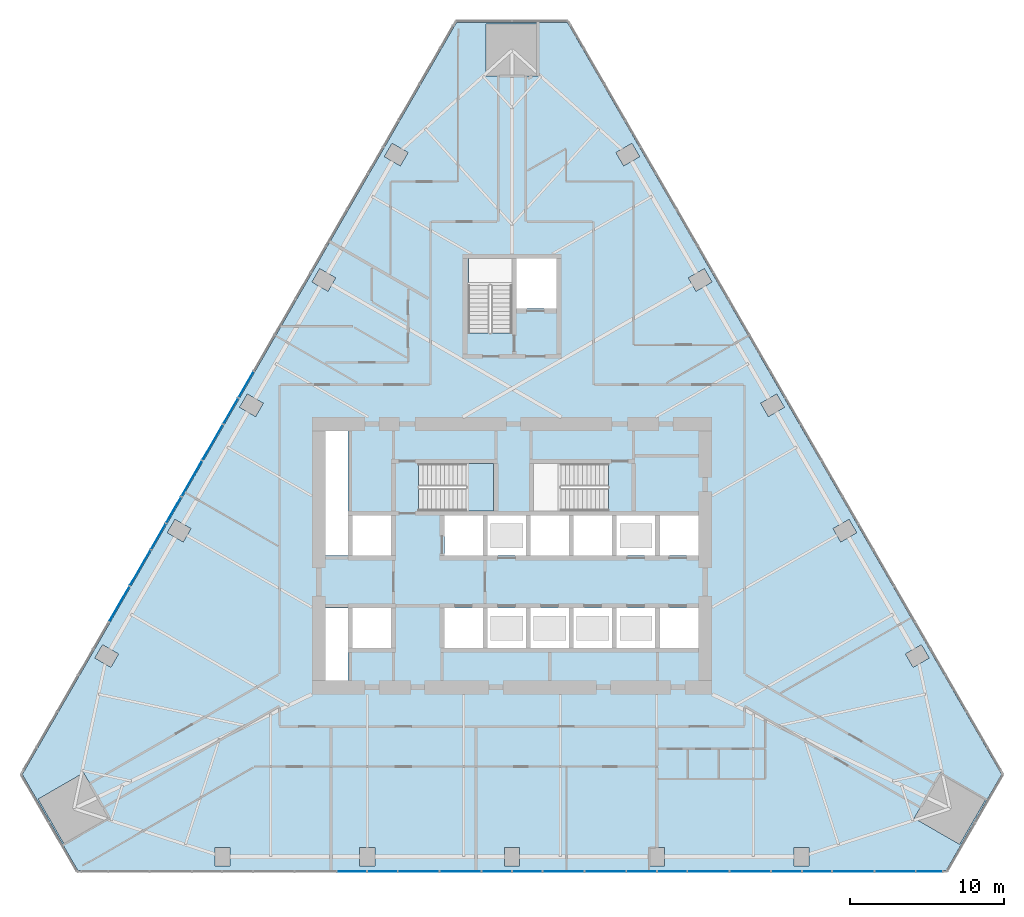
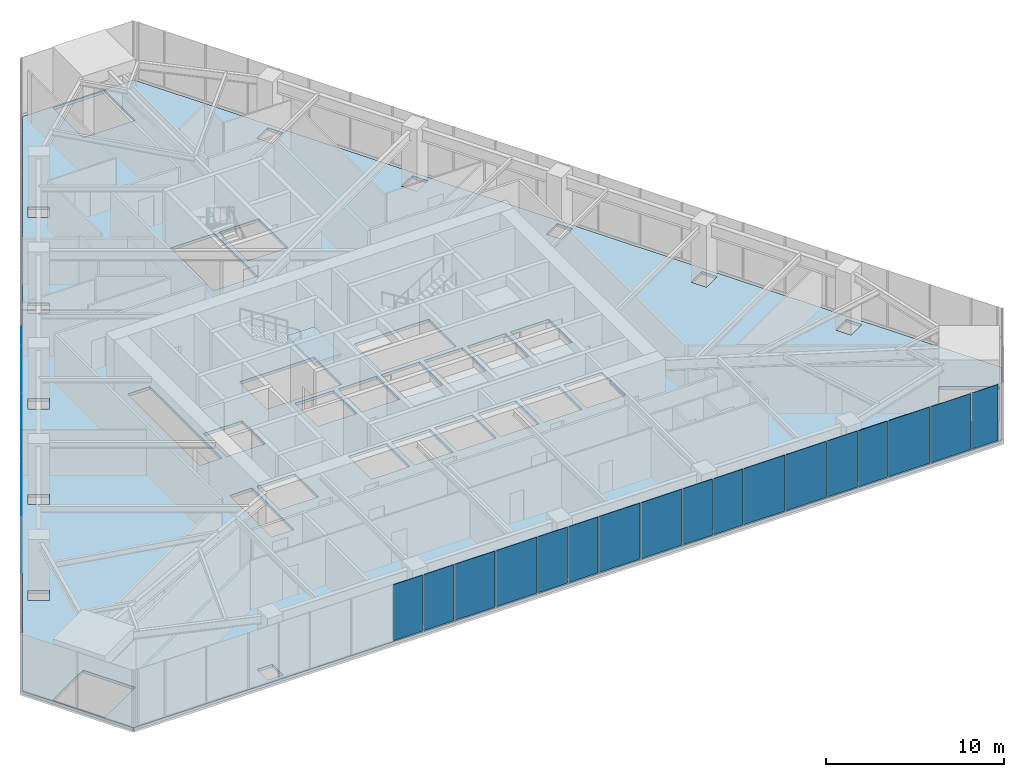
# One storey, part 12 of 21: 25 plates, 2 slabs, 3 elements without a shape of their own.
"""IFC4 building model written with IfcOpenShell, lengths in metres."""

import ifcopenshell
import ifcopenshell.guid

model = None  # the IFC model being written
_history = None  # IfcOwnerHistory: only IFC2X3 demands one
_inside = {}  # id of a spatial element -> (the spatial element, [elements in it])
_under = {}  # id of a project, library or spatial element -> (it, [spatial elements below it])
_declared = {}  # id of a project -> (the project, [libraries it declares])
_typed = {}  # id of a type object -> (the type object, [elements of that type])
_made_of = {}  # id of a material, layer set ... -> (it, [elements and type objects made of it])


def new_model(schema):
    """Start an empty IFC model of exactly this schema.

    Asked for "IFC4X3", IfcOpenShell would pick the latest addendum, in which some entities
    have other attributes; the version numbers below select the first issue.
    IFC2X3 requires an IfcOwnerHistory on every rooted entity: one is made here for all.
    """
    global model, _history
    if schema == "IFC4X3":
        model = ifcopenshell.file(schema_version=(4, 3, 0, 0))
    else:
        model = ifcopenshell.file(schema=schema)
    _inside.clear()
    _under.clear()
    _declared.clear()
    _typed.clear()
    _made_of.clear()
    _history = None
    if model.schema == "IFC2X3":
        org = make("IfcOrganization", Name="unknown")
        user = make(
            "IfcPersonAndOrganization",
            ThePerson=make("IfcPerson", FamilyName="unknown"),
            TheOrganization=org,
        )
        app = make(
            "IfcApplication",
            ApplicationDeveloper=org,
            Version="unknown",
            ApplicationFullName="unknown",
            ApplicationIdentifier="unknown",
        )
        _history = make(
            "IfcOwnerHistory",
            OwningUser=user,
            OwningApplication=app,
            ChangeAction="ADDED",
            CreationDate=0,
        )
    return model


def make(cls, **values):
    """One entity of the class cls with the attributes given. An attribute that is None is left unset."""
    return model.create_entity(
        cls, **{name: value for name, value in values.items() if value is not None}
    )


def rooted(cls, **values):
    """An entity with a GlobalId (a new one), such as an element, a storey or a relation."""
    return make(cls, GlobalId=ifcopenshell.guid.new(), OwnerHistory=_history, **values)


def si_unit(unit_type, name, prefix=None):
    """IfcSIUnit, for example si_unit("LENGTHUNIT", "METRE", prefix="MILLI")."""
    return make("IfcSIUnit", UnitType=unit_type, Prefix=prefix, Name=name)


def assignment(units):
    """IfcUnitAssignment: the units of a project."""
    return None if units is None else make("IfcUnitAssignment", Units=units)


def point(xyz):
    """IfcCartesianPoint."""
    return None if xyz is None else make("IfcCartesianPoint", Coordinates=xyz)


def direction(xyz):
    """IfcDirection."""
    return None if xyz is None else make("IfcDirection", DirectionRatios=xyz)


def frame(location, z_axis=None, x_axis=None):
    """IfcAxis2Placement3D, a coordinate frame: its origin and axes. An axis left out is left unset."""
    return make(
        "IfcAxis2Placement3D",
        Location=point(location),
        Axis=direction(z_axis),
        RefDirection=direction(x_axis),
    )


def origin():
    """The frame at (0, 0, 0) with its axes left unset."""
    return frame((0.0, 0.0, 0.0))


def place(relative_to, where):
    """IfcLocalPlacement: puts the frame where relative to a parent placement (None: the world)."""
    return make(
        "IfcLocalPlacement", PlacementRelTo=relative_to, RelativePlacement=where
    )


def context(
    kind, dimensions, precision=None, world=None, true_north=None, identifier=None
):
    """IfcGeometricRepresentationContext, for example the 3D "Model" context."""
    return make(
        "IfcGeometricRepresentationContext",
        ContextIdentifier=identifier,
        ContextType=kind,
        CoordinateSpaceDimension=dimensions,
        Precision=precision,
        WorldCoordinateSystem=world,
        TrueNorth=true_north,
    )


def subcontext(parent, identifier, kind, view, scale=None):
    """IfcGeometricRepresentationSubContext, for example "Body" below "Model"."""
    return make(
        "IfcGeometricRepresentationSubContext",
        ContextIdentifier=identifier,
        ContextType=kind,
        ParentContext=parent,
        TargetScale=scale,
        TargetView=view,
    )


def project(units=None, contexts=None):
    """IfcProject with its units and contexts."""
    return rooted(
        "IfcProject",
        Name="project",
        RepresentationContexts=contexts,
        UnitsInContext=assignment(units),
    )


def spatial(cls, under=None, at=None, **own):
    """A site, building, storey or space (cls), placed at a placement, below another one or the project."""
    s = rooted(cls, ObjectPlacement=at, **own)
    if under is not None:
        _under.setdefault(under.id(), (under, []))[1].append(s)
    return s


def polyline(points):
    """IfcPolyline through the points."""
    return make("IfcPolyline", Points=[point(p) for p in points])


def outline(outer, holes=None, kind="AREA"):
    """IfcArbitraryClosedProfileDef: a profile drawn as a closed curve; with holes, ...WithVoids."""
    if holes is None:
        return make("IfcArbitraryClosedProfileDef", ProfileType=kind, OuterCurve=outer)
    return make(
        "IfcArbitraryProfileDefWithVoids",
        ProfileType=kind,
        OuterCurve=outer,
        InnerCurves=holes,
    )


def extrude(swept, where, along, depth):
    """IfcExtrudedAreaSolid: the profile swept, set in the frame where, extruded along a direction by depth."""
    return make(
        "IfcExtrudedAreaSolid",
        SweptArea=swept,
        Position=where,
        ExtrudedDirection=direction(along),
        Depth=depth,
    )


def shape(context_of_items, identifier, shape_type, items):
    """IfcShapeRepresentation: the items that make up one representation, for example the "Body"."""
    return make(
        "IfcShapeRepresentation",
        ContextOfItems=context_of_items,
        RepresentationIdentifier=identifier,
        RepresentationType=shape_type,
        Items=items,
    )


def material(Name=None, Category=None):
    """IfcMaterial."""
    return make("IfcMaterial", Name=Name, Category=Category)


def layer(
    of_material, thickness, ventilated=None, Name=None, Category=None, Priority=None
):
    """IfcMaterialLayer: one layer of a wall or slab, of a material (None: an air gap)."""
    return make(
        "IfcMaterialLayer",
        Material=of_material,
        LayerThickness=thickness,
        IsVentilated=ventilated,
        Name=Name,
        Category=Category,
        Priority=Priority,
    )


def layer_set(layers, Name=None):
    """IfcMaterialLayerSet."""
    return make("IfcMaterialLayerSet", MaterialLayers=layers, LayerSetName=Name)


def made_of(thing, what):
    """Note that an element or type object is made of a material, layer set ...; save() writes the relation."""
    if what is not None:
        _made_of.setdefault(what.id(), (what, []))[1].append(thing)
    return thing


def type_object(cls, material=None, **own):
    """A type object (cls), such as IfcWallType, which elements share."""
    return made_of(rooted(cls, **own), material)


def element(
    cls,
    number,
    at=None,
    inside=None,
    cuts=None,
    type_object=None,
    material=None,
    context=None,
    identifier="Body",
    shape_type=None,
    held_by="IfcProductDefinitionShape",
    body=None,
    shapes=None,
    **own,
):
    """One element of the class cls, such as IfcWall. Its Tag is "e" and its number.

    at: its placement. inside: the storey or other place that contains it. cuts: it is an
    opening in that element (IfcRelVoidsElement). A single representation is given by context,
    identifier, shape_type and body (its items); several are given by shapes. held_by: the class
    of the entity that holds the representations. save() writes the other relations.
    """
    e = rooted(cls, Tag="e%d" % number, ObjectPlacement=at, **own)
    if body is not None:
        shapes = [shape(context, identifier, shape_type, body)]
    if shapes is not None:
        e.Representation = make(held_by, Representations=shapes)
    if inside is not None:
        _inside.setdefault(inside.id(), (inside, []))[1].append(e)
    if cuts is not None:
        rooted(
            "IfcRelVoidsElement", RelatingBuildingElement=cuts, RelatedOpeningElement=e
        )
    if type_object is not None:
        _typed.setdefault(type_object.id(), (type_object, []))[1].append(e)
    return made_of(e, material)


def aggregate(whole, parts):
    """IfcRelAggregates: a whole, such as a stair, and the parts it consists of."""
    return rooted("IfcRelAggregates", RelatingObject=whole, RelatedObjects=parts)


def save(model, path):
    """Write the relations noted so far, then the file.

    IfcRelAggregates (storeys below a building ...), IfcRelContainedInSpatialStructure (elements
    in a storey), IfcRelDefinesByType, IfcRelAssociatesMaterial and IfcRelDeclares: one each for
    every whole, place, type object, material and project.
    """
    for whole, parts in _under.values():
        aggregate(whole, parts)
    for where, things in _inside.values():
        rooted(
            "IfcRelContainedInSpatialStructure",
            RelatedElements=things,
            RelatingStructure=where,
        )
    for kind, things in _typed.values():
        rooted("IfcRelDefinesByType", RelatedObjects=things, RelatingType=kind)
    for what, things in _made_of.values():
        rooted("IfcRelAssociatesMaterial", RelatedObjects=things, RelatingMaterial=what)
    for by, libraries in _declared.values():
        rooted("IfcRelDeclares", RelatingContext=by, RelatedDefinitions=libraries)
    model.write(path)


model = new_model("IFC4")

# Units and contexts
model_context = context("Model", 3, precision=1e-05, world=origin(), true_north=direction((0.0, 1.0)))
body_context = subcontext(model_context, "Body", "Model", "MODEL_VIEW")
ifc_project = project(units=[si_unit("LENGTHUNIT", "METRE"), si_unit("AREAUNIT", "SQUARE_METRE"), si_unit("VOLUMEUNIT", "CUBIC_METRE"), si_unit("PLANEANGLEUNIT", "RADIAN"), si_unit("MASSUNIT", "GRAM", prefix="KILO")], contexts=[model_context])

# Site, building, storey
site_placement = place(None, origin())
site = spatial("IfcSite", under=ifc_project, at=site_placement, CompositionType="ELEMENT")
building_placement = place(site_placement, origin())
building = spatial("IfcBuilding", under=site, at=building_placement, Name="Firuza Gate Tower and Library", CompositionType="ELEMENT")
storey_placement = place(building_placement, frame((0.0, 0.0, 94.60009765625)))
storey = spatial("IfcBuildingStorey", under=building, at=storey_placement, Name="L21", CompositionType="ELEMENT", Elevation=94.60009765625)

# Slab
ifc_material_1 = material(Name="Concrete C40/50", Category="concrete")
ifc_layer_1 = layer(ifc_material_1, 0.199951171875)
ifc_layer_set_1 = layer_set([ifc_layer_1], Name="Composite floor slab 200 C40/50")
slab_type_1 = type_object("IfcSlabType", Name="Composite floor slab 200 C40/50", PredefinedType="FLOOR", material=ifc_layer_set_1)
slab_1_placement = place(storey_placement, frame((0.0, 0.0, -0.2001953125)))
element("IfcSlab", 1, at=slab_1_placement, inside=storey, type_object=slab_type_1, Name="Floor slab L21", PredefinedType="FLOOR", context=body_context, shape_type="SweptSolid", body=[
    extrude(outline(polyline([(43.18994140625, 60.791259765625), (46.789794921875, 54.555908203125), (103.210205078125, 54.555908203125), (106.81005859375, 60.791259765625), (78.60009765625, 109.652587890625), (71.39990234375, 109.652587890625), (43.18994140625, 60.791259765625)]), holes=[polyline([(55.693359375, 54.85595703125), (55.693359375, 56.055908203125), (56.693359375, 56.055908203125), (56.693359375, 54.85595703125), (55.693359375, 54.85595703125)]), polyline([(65.0966796875, 54.85595703125), (65.0966796875, 56.055908203125), (66.0966796875, 56.055908203125), (66.0966796875, 54.85595703125), (65.0966796875, 54.85595703125)]), polyline([(44.2265625, 59.19580078125), (47.1708984375, 60.89599609375), (48.87109375, 57.951416015625), (45.926513671875, 56.25146484375), (44.2265625, 59.19580078125)]), polyline([(48.4013671875, 69.218017578125), (49.440673828125, 68.617919921875), (48.940673828125, 67.751953125), (47.9013671875, 68.351806640625), (48.4013671875, 69.218017578125)]), polyline([(64.35009765625, 66.89990234375), (62.89990234375, 66.89990234375), (62.89990234375, 71.60009765625), (64.35009765625, 71.60009765625), (64.35009765625, 66.89990234375)]), polyline([(75.89990234375, 69.0), (73.39990234375, 69.0), (73.39990234375, 71.60009765625), (75.89990234375, 71.60009765625), (75.89990234375, 69.0)]), polyline([(73.10009765625, 69.0), (70.60009765625, 69.0), (70.60009765625, 71.60009765625), (73.10009765625, 71.60009765625), (73.10009765625, 69.0)]), polyline([(64.64990234375, 69.0), (64.64990234375, 71.60009765625), (67.14990234375, 71.60009765625), (67.14990234375, 69.0), (64.64990234375, 69.0)]), polyline([(64.64990234375, 75.0), (64.64990234375, 77.60009765625), (67.14990234375, 77.60009765625), (67.14990234375, 75.0), (64.64990234375, 75.0)]), polyline([(75.89990234375, 75.0), (73.39990234375, 75.0), (73.39990234375, 77.60009765625), (75.89990234375, 77.60009765625), (75.89990234375, 75.0)]), polyline([(73.10009765625, 75.0), (70.60009765625, 75.0), (70.60009765625, 77.60009765625), (73.10009765625, 77.60009765625), (73.10009765625, 75.0)]), polyline([(53.10302734375, 77.361572265625), (54.142333984375, 76.761474609375), (53.642333984375, 75.8955078125), (52.60302734375, 76.495361328125), (53.10302734375, 77.361572265625)]), polyline([(62.89990234375, 75.0), (62.89990234375, 83.10009765625), (64.35009765625, 83.10009765625), (64.35009765625, 75.0), (62.89990234375, 75.0)]), polyline([(68.9404296875, 77.89990234375), (68.9404296875, 80.97998046875), (73.81005859375, 80.97998046875), (73.81005859375, 77.89990234375), (68.9404296875, 77.89990234375)]), polyline([(57.8046875, 85.505126953125), (58.843994140625, 84.905029296875), (58.343994140625, 84.0390625), (57.3046875, 84.638916015625), (57.8046875, 85.505126953125)]), polyline([(72.159912109375, 89.470458984375), (72.159912109375, 94.300048828125), (75.0, 94.300048828125), (75.0, 89.470458984375), (72.159912109375, 89.470458984375)]), polyline([(62.50634765625, 93.648681640625), (63.545654296875, 93.048583984375), (63.045654296875, 92.1826171875), (62.00634765625, 92.782470703125), (62.50634765625, 93.648681640625)]), polyline([(68.247314453125, 101.192138671875), (67.747314453125, 100.326171875), (66.7080078125, 100.926025390625), (67.2080078125, 101.792236328125), (68.247314453125, 101.192138671875)]), polyline([(76.699951171875, 106.152587890625), (73.300048828125, 106.152587890625), (73.300048828125, 109.552734375), (76.699951171875, 109.552734375), (76.699951171875, 106.152587890625)]), polyline([(93.306640625, 54.85595703125), (93.306640625, 56.055908203125), (94.306640625, 56.055908203125), (94.306640625, 54.85595703125), (93.306640625, 54.85595703125)]), polyline([(74.5, 54.85595703125), (74.5, 56.055908203125), (75.5, 56.055908203125), (75.5, 54.85595703125), (74.5, 54.85595703125)]), polyline([(83.9033203125, 54.85595703125), (83.9033203125, 56.055908203125), (84.9033203125, 56.055908203125), (84.9033203125, 54.85595703125), (83.9033203125, 54.85595703125)]), polyline([(104.073486328125, 56.25146484375), (101.12890625, 57.951416015625), (102.8291015625, 60.89599609375), (105.7734375, 59.19580078125), (104.073486328125, 56.25146484375)]), polyline([(102.0986328125, 68.351806640625), (101.059326171875, 67.751953125), (100.559326171875, 68.617919921875), (101.5986328125, 69.218017578125), (102.0986328125, 68.351806640625)]), polyline([(78.699951171875, 69.0), (76.199951171875, 69.0), (76.199951171875, 71.60009765625), (78.699951171875, 71.60009765625), (78.699951171875, 69.0)]), polyline([(81.5, 69.0), (79.0, 69.0), (79.0, 71.60009765625), (81.5, 71.60009765625), (81.5, 69.0)]), polyline([(84.60009765625, 69.0), (84.60009765625, 71.60009765625), (87.10009765625, 71.60009765625), (87.10009765625, 69.0), (84.60009765625, 69.0)]), polyline([(81.800048828125, 69.0), (81.800048828125, 71.60009765625), (84.300048828125, 71.60009765625), (84.300048828125, 69.0), (81.800048828125, 69.0)]), polyline([(84.300048828125, 75.0), (81.800048828125, 75.0), (81.800048828125, 77.60009765625), (84.300048828125, 77.60009765625), (84.300048828125, 75.0)]), polyline([(87.10009765625, 75.0), (84.60009765625, 75.0), (84.60009765625, 77.60009765625), (87.10009765625, 77.60009765625), (87.10009765625, 75.0)]), polyline([(81.5, 75.0), (79.0, 75.0), (79.0, 77.60009765625), (81.5, 77.60009765625), (81.5, 75.0)]), polyline([(76.199951171875, 75.0), (76.199951171875, 77.60009765625), (78.699951171875, 77.60009765625), (78.699951171875, 75.0), (76.199951171875, 75.0)]), polyline([(96.357666015625, 75.8955078125), (95.857666015625, 76.761474609375), (96.89697265625, 77.361572265625), (97.39697265625, 76.495361328125), (96.357666015625, 75.8955078125)]), polyline([(81.259521484375, 77.89990234375), (76.389892578125, 77.89990234375), (76.389892578125, 80.97998046875), (81.259521484375, 80.97998046875), (81.259521484375, 77.89990234375)]), polyline([(92.6953125, 84.638916015625), (91.656005859375, 84.0390625), (91.156005859375, 84.905029296875), (92.1953125, 85.505126953125), (92.6953125, 84.638916015625)]), polyline([(77.89990234375, 91.050048828125), (75.300048828125, 91.050048828125), (75.300048828125, 94.300048828125), (77.89990234375, 94.300048828125), (77.89990234375, 91.050048828125)]), polyline([(86.954345703125, 92.1826171875), (86.454345703125, 93.048583984375), (87.49365234375, 93.648681640625), (87.99365234375, 92.782470703125), (86.954345703125, 92.1826171875)]), polyline([(82.252685546875, 100.326171875), (81.752685546875, 101.192138671875), (82.7919921875, 101.792236328125), (83.2919921875, 100.926025390625), (82.252685546875, 100.326171875)])]), origin(), (0.0, 0.0, 1.0), 0.2001953125),
])

# Curtain wall, plates
ifc_material_2 = material(Name="Aluminium 6063-T6", Category="aluminium")
ifc_layer_2 = layer(ifc_material_2, 0.14990234375)
ifc_layer_set_2 = layer_set([ifc_layer_2], Name="Unitised curtain wall, offices")
curtain_wall_type = type_object("IfcCurtainWallType", Name="Unitised curtain wall, offices", PredefinedType="NOTDEFINED", material=ifc_layer_set_2)
placement = place(storey_placement, origin())
curtain_wall_1 = element("IfcCurtainWall", 2, at=placement, inside=storey, type_object=curtain_wall_type, Name="CW1 L21 S face", PredefinedType="NOTDEFINED")
ifc_material_3 = material(Name="Fritted glass", Category="glass")
ifc_layer_3 = layer(ifc_material_3, 0.030029296875)
ifc_layer_set_3 = layer_set([ifc_layer_3], Name="Fritted glass unit, offices")
plate_type_1 = type_object("IfcPlateType", Name="Fritted glass unit, offices", PredefinedType="CURTAIN_PANEL", material=ifc_layer_set_3)
plate_1_placement = place(storey_placement, frame((63.64794921875, 54.466064453125, 0.14990234375), z_axis=(0.0, -1.0, 0.0), x_axis=(1.0, 0.0, 0.0)))
plate_1 = element("IfcPlate", 3, at=plate_1_placement, type_object=plate_type_1, Name="Glass unit", PredefinedType="CURTAIN_PANEL", context=body_context, shape_type="SweptSolid", body=[
    extrude(outline(polyline([(0.0, 0.0), (1.894287109375, 0.0), (1.894287109375, 3.85009765625), (0.0, 3.85009765625), (0.0, 0.0)])), origin(), (0.0, 0.0, -1.0), 0.030029296875),
])
plate_2_placement = place(storey_placement, frame((65.622314453125, 54.466064453125, 0.14990234375), z_axis=(0.0, -1.0, 0.0), x_axis=(1.0, 0.0, 0.0)))
plate_2 = element("IfcPlate", 4, at=plate_2_placement, type_object=plate_type_1, Name="Glass unit", PredefinedType="CURTAIN_PANEL", context=body_context, shape_type="SweptSolid", body=[
    extrude(outline(polyline([(0.0, 0.0), (1.923095703125, 0.0), (1.923095703125, 3.85009765625), (0.0, 3.85009765625), (0.0, 0.0)])), origin(), (0.0, 0.0, -1.0), 0.030029296875),
])
plate_3_placement = place(storey_placement, frame((73.05126953125, 54.466064453125, 0.14990234375), z_axis=(0.0, -1.0, 0.0), x_axis=(1.0, 0.0, 0.0)))
plate_3 = element("IfcPlate", 5, at=plate_3_placement, type_object=plate_type_1, Name="Glass unit", PredefinedType="CURTAIN_PANEL", context=body_context, shape_type="SweptSolid", body=[
    extrude(outline(polyline([(0.0, 0.0), (1.90869140625, 0.0), (1.90869140625, 3.85009765625), (0.0, 3.85009765625), (0.0, 0.0)])), origin(), (0.0, 0.0, -1.0), 0.030029296875),
])
plate_4_placement = place(storey_placement, frame((75.0400390625, 54.466064453125, 0.14990234375), z_axis=(0.0, -1.0, 0.0), x_axis=(1.0, 0.0, 0.0)))
plate_4 = element("IfcPlate", 6, at=plate_4_placement, type_object=plate_type_1, Name="Glass unit", PredefinedType="CURTAIN_PANEL", context=body_context, shape_type="SweptSolid", body=[
    extrude(outline(polyline([(0.0, 0.0), (1.90869140625, 0.0), (1.90869140625, 3.85009765625), (0.0, 3.85009765625), (0.0, 0.0)])), origin(), (0.0, 0.0, -1.0), 0.030029296875),
])
plate_5_placement = place(storey_placement, frame((82.45458984375, 54.466064453125, 0.14990234375), z_axis=(0.0, -1.0, 0.0), x_axis=(1.0, 0.0, 0.0)))
plate_5 = element("IfcPlate", 7, at=plate_5_placement, type_object=plate_type_1, Name="Glass unit", PredefinedType="CURTAIN_PANEL", context=body_context, shape_type="SweptSolid", body=[
    extrude(outline(polyline([(0.0, 0.0), (1.923095703125, 0.0), (1.923095703125, 3.85009765625), (0.0, 3.85009765625), (0.0, 0.0)])), origin(), (0.0, 0.0, -1.0), 0.030029296875),
])
plate_6_placement = place(storey_placement, frame((84.457763671875, 54.466064453125, 0.14990234375), z_axis=(0.0, -1.0, 0.0), x_axis=(1.0, 0.0, 0.0)))
plate_6 = element("IfcPlate", 8, at=plate_6_placement, type_object=plate_type_1, Name="Glass unit", PredefinedType="CURTAIN_PANEL", context=body_context, shape_type="SweptSolid", body=[
    extrude(outline(polyline([(0.0, 0.0), (1.894287109375, 0.0), (1.894287109375, 3.85009765625), (0.0, 3.85009765625), (0.0, 0.0)])), origin(), (0.0, 0.0, -1.0), 0.030029296875),
])
plate_7_placement = place(storey_placement, frame((91.858154296875, 54.466064453125, 0.14990234375), z_axis=(0.0, -1.0, 0.0), x_axis=(1.0, 0.0, 0.0)))
plate_7 = element("IfcPlate", 9, at=plate_7_placement, type_object=plate_type_1, Name="Glass unit", PredefinedType="CURTAIN_PANEL", context=body_context, shape_type="SweptSolid", body=[
    extrude(outline(polyline([(0.0, 0.0), (1.9375, 0.0), (1.9375, 3.85009765625), (0.0, 3.85009765625), (0.0, 0.0)])), origin(), (0.0, 0.0, -1.0), 0.030029296875),
])
plate_8_placement = place(storey_placement, frame((93.87548828125, 54.466064453125, 0.14990234375), z_axis=(0.0, -1.0, 0.0), x_axis=(1.0, 0.0, 0.0)))
plate_8 = element("IfcPlate", 10, at=plate_8_placement, type_object=plate_type_1, Name="Glass unit", PredefinedType="CURTAIN_PANEL", context=body_context, shape_type="SweptSolid", body=[
    extrude(outline(polyline([(0.0, 0.0), (1.8798828125, 0.0), (1.8798828125, 3.85009765625), (0.0, 3.85009765625), (0.0, 0.0)])), origin(), (0.0, 0.0, -1.0), 0.030029296875),
])
plate_9_placement = place(storey_placement, frame((101.261474609375, 54.466064453125, 0.14990234375), z_axis=(0.0, -1.0, 0.0), x_axis=(1.0, 0.0, 0.0)))
plate_9 = element("IfcPlate", 11, at=plate_9_placement, type_object=plate_type_1, Name="Glass unit", PredefinedType="CURTAIN_PANEL", context=body_context, shape_type="SweptSolid", body=[
    extrude(outline(polyline([(0.0, 0.0), (1.685791015625, 0.0), (1.685791015625, 3.85009765625), (0.0, 3.85009765625), (0.0, 0.0)])), origin(), (0.0, 0.0, -1.0), 0.030029296875),
])

curtain_wall_2 = element("IfcCurtainWall", 12, at=placement, inside=storey, type_object=curtain_wall_type, Name="CW1 L21 W face", PredefinedType="NOTDEFINED")
plate_10_placement = place(storey_placement, frame((58.19140625, 86.95458984375, 0.14990234375), z_axis=(-0.866006643745, 0.500032491935, 0.0), x_axis=(-0.500032491935, -0.866006643745, 0.0)))
plate_10 = element("IfcPlate", 13, at=plate_10_placement, type_object=plate_type_1, Name="Glass unit", PredefinedType="CURTAIN_PANEL", context=body_context, shape_type="SweptSolid", body=[
    extrude(outline(polyline([(0.0, 0.0), (1.908567380156947, 0.0), (1.908567380156947, 3.85009765625), (0.0, 3.85009765625), (0.0, 0.0)])), origin(), (0.0, 0.0, -1.0), 0.030029296875),
])
plate_11_placement = place(storey_placement, frame((57.197021484375, 85.232421875, 0.14990234375), z_axis=(-0.866038622153, 0.499977104415, 0.0), x_axis=(-0.499977104415, -0.866038622153, 0.0)))
plate_11 = element("IfcPlate", 14, at=plate_11_placement, type_object=plate_type_1, Name="Glass unit", PredefinedType="CURTAIN_PANEL", context=body_context, shape_type="SweptSolid", body=[
    extrude(outline(polyline([(0.0, 0.0), (1.9087788114640352, 0.0), (1.9087788114640352, 3.85009765625), (0.0, 3.85009765625), (0.0, 0.0)])), origin(), (0.0, 0.0, -1.0), 0.030029296875),
])
plate_12_placement = place(storey_placement, frame((53.48974609375, 78.81103515625, 0.14990234375), z_axis=(-0.866008007854, 0.500030129425, 0.0), x_axis=(-0.500030129425, -0.866008007854, 0.0)))
plate_12 = element("IfcPlate", 15, at=plate_12_placement, type_object=plate_type_1, Name="Glass unit", PredefinedType="CURTAIN_PANEL", context=body_context, shape_type="SweptSolid", body=[
    extrude(outline(polyline([(0.0, 0.0), (1.923223952486553, 0.0), (1.923223952486553, 3.85009765625), (0.0, 3.85009765625), (0.0, 0.0)])), origin(), (0.0, 0.0, -1.0), 0.030029296875),
])
plate_13_placement = place(storey_placement, frame((52.488037109375, 77.076416015625, 0.14990234375), z_axis=(-0.866069700026, 0.49992326881, 0.0), x_axis=(-0.49992326881, -0.866069700026, 0.0)))
plate_13 = element("IfcPlate", 16, at=plate_13_placement, type_object=plate_type_1, Name="Glass unit", PredefinedType="CURTAIN_PANEL", context=body_context, shape_type="SweptSolid", body=[
    extrude(outline(polyline([(0.0, 0.0), (1.894333677706446, 0.0), (1.894333677706446, 3.85009765625), (0.0, 3.85009765625), (0.0, 0.0)])), origin(), (0.0, 0.0, -1.0), 0.030029296875),
])

# Plate
ifc_material_4 = material(Name="Glazed ceramic tile")
ifc_layer_4 = layer(ifc_material_4, 0.030029296875)
ifc_layer_set_4 = layer_set([ifc_layer_4], Name="Opaque ceramic panel, offices")
plate_type_2 = type_object("IfcPlateType", Name="Opaque ceramic panel, offices", PredefinedType="CURTAIN_PANEL", material=ifc_layer_set_4)
plate_14_placement = place(storey_placement, frame((67.625244140625, 54.466064453125, 0.14990234375), z_axis=(0.0, -1.0, 0.0), x_axis=(1.0, 0.0, 0.0)))
plate_14 = element("IfcPlate", 17, at=plate_14_placement, type_object=plate_type_2, Name="Opaque ceramic panel", PredefinedType="CURTAIN_PANEL", context=body_context, shape_type="SweptSolid", body=[
    extrude(outline(polyline([(0.0, 0.0), (2.625732421875, 0.0), (2.625732421875, 3.85009765625), (0.0, 3.85009765625), (0.0, 0.0)])), origin(), (0.0, 0.0, -1.0), 0.030029296875),
])

plate_15_placement = place(storey_placement, frame((70.3310546875, 54.466064453125, 0.14990234375), z_axis=(0.0, -1.0, 0.0), x_axis=(1.0, 0.0, 0.0)))
plate_15 = element("IfcPlate", 18, at=plate_15_placement, type_object=plate_type_2, Name="Opaque ceramic panel", PredefinedType="CURTAIN_PANEL", context=body_context, shape_type="SweptSolid", body=[
    extrude(outline(polyline([(0.0, 0.0), (2.64013671875, 0.0), (2.64013671875, 3.85009765625), (0.0, 3.85009765625), (0.0, 0.0)])), origin(), (0.0, 0.0, -1.0), 0.030029296875),
])

plate_16_placement = place(storey_placement, frame((77.02880859375, 54.466064453125, 0.14990234375), z_axis=(0.0, -1.0, 0.0), x_axis=(1.0, 0.0, 0.0)))
plate_16 = element("IfcPlate", 19, at=plate_16_placement, type_object=plate_type_2, Name="Opaque ceramic panel", PredefinedType="CURTAIN_PANEL", context=body_context, shape_type="SweptSolid", body=[
    extrude(outline(polyline([(0.0, 0.0), (2.64013671875, 0.0), (2.64013671875, 3.85009765625), (0.0, 3.85009765625), (0.0, 0.0)])), origin(), (0.0, 0.0, -1.0), 0.030029296875),
])

plate_17_placement = place(storey_placement, frame((79.7490234375, 54.466064453125, 0.14990234375), z_axis=(0.0, -1.0, 0.0), x_axis=(1.0, 0.0, 0.0)))
plate_17 = element("IfcPlate", 20, at=plate_17_placement, type_object=plate_type_2, Name="Opaque ceramic panel", PredefinedType="CURTAIN_PANEL", context=body_context, shape_type="SweptSolid", body=[
    extrude(outline(polyline([(0.0, 0.0), (2.625732421875, 0.0), (2.625732421875, 3.85009765625), (0.0, 3.85009765625), (0.0, 0.0)])), origin(), (0.0, 0.0, -1.0), 0.030029296875),
])

plate_18_placement = place(storey_placement, frame((86.43212890625, 54.466064453125, 0.14990234375), z_axis=(0.0, -1.0, 0.0), x_axis=(1.0, 0.0, 0.0)))
plate_18 = element("IfcPlate", 21, at=plate_18_placement, type_object=plate_type_2, Name="Opaque ceramic panel", PredefinedType="CURTAIN_PANEL", context=body_context, shape_type="SweptSolid", body=[
    extrude(outline(polyline([(0.0, 0.0), (2.654541015625, 0.0), (2.654541015625, 3.85009765625), (0.0, 3.85009765625), (0.0, 0.0)])), origin(), (0.0, 0.0, -1.0), 0.030029296875),
])

plate_19_placement = place(storey_placement, frame((89.166748046875, 54.466064453125, 0.14990234375), z_axis=(0.0, -1.0, 0.0), x_axis=(1.0, 0.0, 0.0)))
plate_19 = element("IfcPlate", 22, at=plate_19_placement, type_object=plate_type_2, Name="Opaque ceramic panel", PredefinedType="CURTAIN_PANEL", context=body_context, shape_type="SweptSolid", body=[
    extrude(outline(polyline([(0.0, 0.0), (2.611328125, 0.0), (2.611328125, 3.85009765625), (0.0, 3.85009765625), (0.0, 0.0)])), origin(), (0.0, 0.0, -1.0), 0.030029296875),
])

plate_20_placement = place(storey_placement, frame((95.83544921875, 54.466064453125, 0.14990234375), z_axis=(0.0, -1.0, 0.0), x_axis=(1.0, 0.0, 0.0)))
plate_20 = element("IfcPlate", 23, at=plate_20_placement, type_object=plate_type_2, Name="Opaque ceramic panel", PredefinedType="CURTAIN_PANEL", context=body_context, shape_type="SweptSolid", body=[
    extrude(outline(polyline([(0.0, 0.0), (2.6689453125, 0.0), (2.6689453125, 3.85009765625), (0.0, 3.85009765625), (0.0, 0.0)])), origin(), (0.0, 0.0, -1.0), 0.030029296875),
])

plate_21_placement = place(storey_placement, frame((98.58447265625, 54.466064453125, 0.14990234375), z_axis=(0.0, -1.0, 0.0), x_axis=(1.0, 0.0, 0.0)))
plate_21 = element("IfcPlate", 24, at=plate_21_placement, type_object=plate_type_2, Name="Opaque ceramic panel", PredefinedType="CURTAIN_PANEL", context=body_context, shape_type="SweptSolid", body=[
    extrude(outline(polyline([(0.0, 0.0), (2.596923828125, 0.0), (2.596923828125, 3.85009765625), (0.0, 3.85009765625), (0.0, 0.0)])), origin(), (0.0, 0.0, -1.0), 0.030029296875),
])

aggregate(curtain_wall_1, [plate_1, plate_2, plate_14, plate_15, plate_3, plate_4, plate_16, plate_17, plate_5, plate_6, plate_18, plate_19, plate_7, plate_8, plate_20, plate_21, plate_9])

plate_22_placement = place(storey_placement, frame((56.20263671875, 83.510009765625, 0.14990234375), z_axis=(-0.86602080971, 0.500007957085, 0.0), x_axis=(-0.500007957085, -0.86602080971, 0.0)))
plate_22 = element("IfcPlate", 25, at=plate_22_placement, type_object=plate_type_2, Name="Opaque ceramic panel", PredefinedType="CURTAIN_PANEL", context=body_context, shape_type="SweptSolid", body=[
    extrude(outline(polyline([(0.0, 0.0), (2.6400947038324523, 0.0), (2.6400947038324523, 3.850097656250001), (0.0, 3.850097656250001), (0.0, 0.0)])), origin(), (0.0, 0.0, -1.0), 0.030029296875),
])

plate_23_placement = place(storey_placement, frame((54.842529296875, 81.154296875, 0.14990234375), z_axis=(-0.866043135266, 0.499969286915, 0.0), x_axis=(-0.499969286915, -0.866043135266, 0.0)))
plate_23 = element("IfcPlate", 26, at=plate_23_placement, type_object=plate_type_2, Name="Opaque ceramic panel", PredefinedType="CURTAIN_PANEL", context=body_context, shape_type="SweptSolid", body=[
    extrude(outline(polyline([(0.0, 0.0), (2.625649564846515, 0.0), (2.625649564846515, 3.85009765625), (0.0, 3.85009765625), (0.0, 0.0)])), origin(), (0.0, 0.0, -1.0), 0.030029296875),
])

plate_24_placement = place(storey_placement, frame((51.5009765625, 75.366455078125, 0.14990234375), z_axis=(-0.865998725433, 0.500046205414, 0.0), x_axis=(-0.500046205414, -0.865998725433, 0.0)))
plate_24 = element("IfcPlate", 27, at=plate_24_placement, type_object=plate_type_2, Name="Opaque ceramic panel", PredefinedType="CURTAIN_PANEL", context=body_context, shape_type="SweptSolid", body=[
    extrude(outline(polyline([(0.0, 0.0), (2.6545398480249545, 0.0), (2.6545398480249545, 3.85009765625), (0.0, 3.85009765625), (0.0, 0.0)])), origin(), (0.0, 0.0, -1.0), 0.030029296875),
])

plate_25_placement = place(storey_placement, frame((50.133544921875, 72.998291015625, 0.14990234375), z_axis=(-0.866025223369, 0.500000312488, 0.0), x_axis=(-0.500000312488, -0.866025223369, 0.0)))
plate_25 = element("IfcPlate", 28, at=plate_25_placement, type_object=plate_type_2, Name="Opaque ceramic panel", PredefinedType="CURTAIN_PANEL", context=body_context, shape_type="SweptSolid", body=[
    extrude(outline(polyline([(0.0, 0.0), (2.61132649298241, 0.0), (2.61132649298241, 3.85009765625), (0.0, 3.85009765625), (0.0, 0.0)])), origin(), (0.0, 0.0, -1.0), 0.030029296875),
])

aggregate(curtain_wall_2, [plate_10, plate_11, plate_22, plate_23, plate_12, plate_13, plate_24, plate_25])

# Stair, slab
ifc_material_5 = material(Name="Concrete C35/45", Category="concrete")
stair_type = type_object("IfcStairType", Name="Exit stair ST5", PredefinedType="HALF_TURN_STAIR", material=ifc_material_5)
stair = element("IfcStair", 29, at=placement, inside=storey, type_object=stair_type, Name="L21 Stair ST1", PredefinedType="HALF_TURN_STAIR")
ifc_material_6 = material(Name="Concrete C35/45", Category="concrete")
ifc_layer_5 = layer(ifc_material_6, 0.199951171875)
ifc_layer_set_5 = layer_set([ifc_layer_5], Name="Stair landing 200")
slab_type_2 = type_object("IfcSlabType", Name="Stair landing 200", PredefinedType="LANDING", material=ifc_layer_set_5)
slab_2_placement = place(storey_placement, frame((0.0, 0.0, 1.89990234375)))
slab_2 = element("IfcSlab", 30, at=slab_2_placement, type_object=slab_type_2, Name="ST1 landing 1", PredefinedType="LANDING", context=body_context, shape_type="SweptSolid", body=[
    extrude(outline(polyline([(72.02001953125, 77.89990234375), (73.81005859375, 77.89990234375), (73.81005859375, 80.97998046875), (72.02001953125, 80.97998046875), (72.02001953125, 77.89990234375)])), origin(), (0.0, 0.0, 1.0), 0.199951171875),
])
aggregate(stair, [slab_2])

save(model, "model.ifc")
